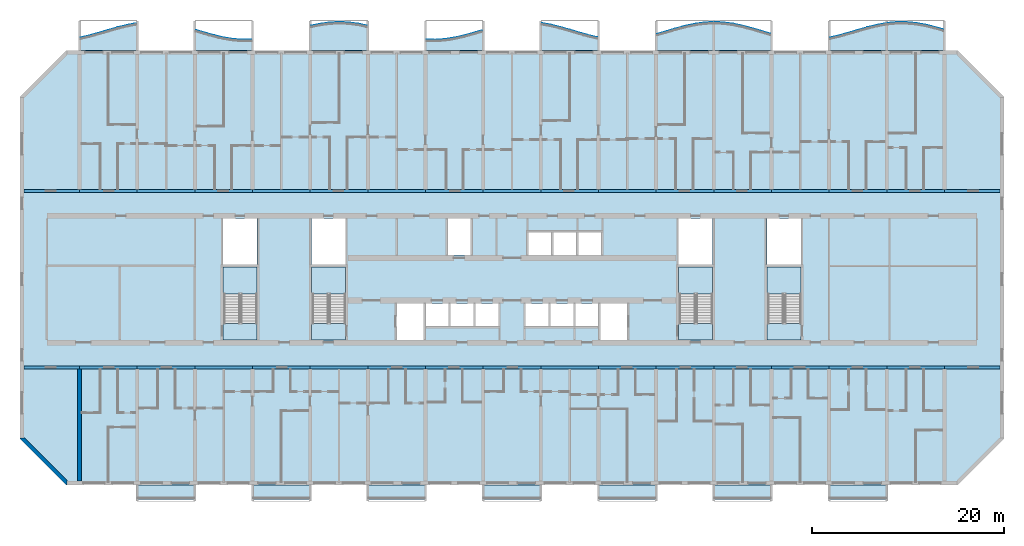
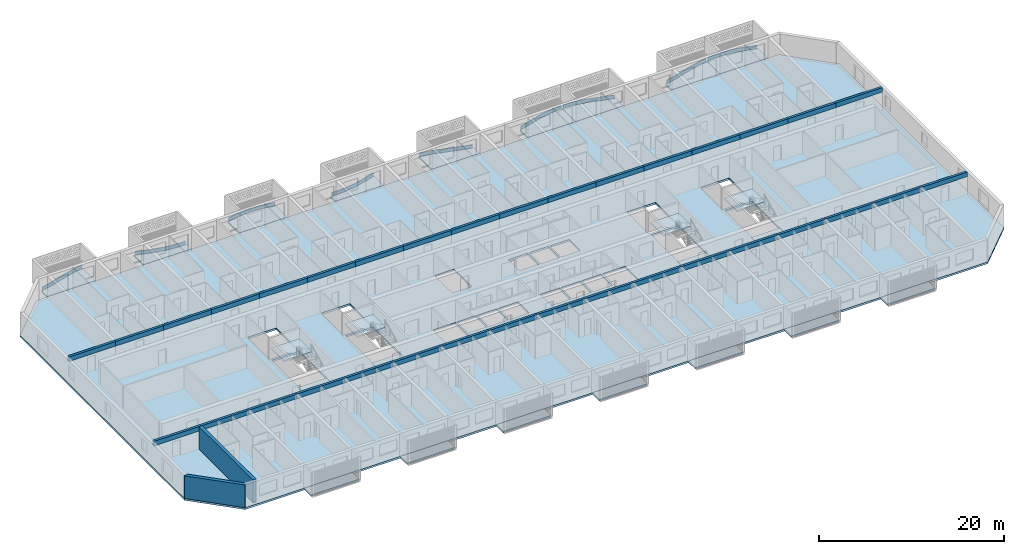
# One storey, part 1 of 38: 34 beams, 25 slabs, 9 plates, 2 walls, 4 elements without a shape of their own.
"""IFC4 building model written with IfcOpenShell, lengths in metres."""

from ifc_helpers import new_model, si_unit, direction, frame, frame_2d, origin, origin_2d, place, context, subcontext, project, spatial, polyline, rectangle, outline, extrude, source, transform, mapped, material, layer, layer_set, material_profile, profile_set, type_object, element, aggregate, save


model = new_model("IFC4")

# Units and contexts
model_context = context("Model", 3, precision=1e-05, world=origin(), true_north=direction((0.0, 1.0)))
body_context = subcontext(model_context, "Body", "Model", "MODEL_VIEW")
ifc_project = project(units=[si_unit("LENGTHUNIT", "METRE"), si_unit("AREAUNIT", "SQUARE_METRE"), si_unit("VOLUMEUNIT", "CUBIC_METRE"), si_unit("PLANEANGLEUNIT", "RADIAN"), si_unit("MASSUNIT", "GRAM", prefix="KILO")], contexts=[model_context])

# Site, building, storey
site_placement = place(None, origin())
site = spatial("IfcSite", under=ifc_project, at=site_placement, CompositionType="ELEMENT")
building_placement = place(site_placement, origin())
building = spatial("IfcBuilding", under=site, at=building_placement, Name="Poui Terraces", CompositionType="ELEMENT")
storey_placement = place(building_placement, frame((0.0, 0.0, 49.800048828125)))
storey = spatial("IfcBuildingStorey", under=building, at=storey_placement, Name="L13", CompositionType="ELEMENT", Elevation=49.800048828125)

# Beams
ifc_material_1 = material(Name="Concrete 80 MPa", Category="concrete")
ifc_material_profile = material_profile(ifc_material_1, rectangle(XDim=0.300048828125, YDim=0.60009765625, at=origin_2d()), Name="RC 300x600")
ifc_profile_set = profile_set([ifc_material_profile], Name="Concrete 80 MPa")
beam_type = type_object("IfcBeamType", Name="COUPLING BEAM 300x600 80MPa", PredefinedType="BEAM", material=ifc_profile_set)
shared_shape_1 = source(origin(), body_context, "Body", "SweptSolid", [
    extrude(rectangle(XDim=0.300048828125, YDim=0.60009765625, at=origin_2d()), origin(), (0.0, 0.0, 1.0), 6.0),
])
for number, where, z_axis, x_axis, name in (
    (1, (6.0, 12.0, 2.699951171875), (1.0, 0.0, 0.0), (0.0, 1.0, 0.0), "COUPLING BEAM LINE B BAY 2"),
    (2, (12.0, 12.0, 2.699951171875), (1.0, 0.0, 0.0), (0.0, 1.0, 0.0), "COUPLING BEAM LINE B BAY 3"),
    (3, (18.0, 12.0, 2.699951171875), (1.0, 0.0, 0.0), (0.0, 1.0, 0.0), "COUPLING BEAM LINE B BAY 4"),
    (4, (24.0, 12.0, 2.699951171875), (1.0, 0.0, 0.0), (0.0, 1.0, 0.0), "COUPLING BEAM LINE B BAY 5"),
    (5, (30.0, 12.0, 2.699951171875), (1.0, 0.0, 0.0), (0.0, 1.0, 0.0), "COUPLING BEAM LINE B BAY 6"),
    (6, (36.0, 12.0, 2.699951171875), (1.0, 0.0, 0.0), (0.0, 1.0, 0.0), "COUPLING BEAM LINE B BAY 7"),
    (7, (42.0, 12.0, 2.699951171875), (1.0, 0.0, 0.0), (0.0, 1.0, 0.0), "COUPLING BEAM LINE B BAY 8"),
    (8, (48.0, 12.0, 2.699951171875), (1.0, 0.0, 0.0), (0.0, 1.0, 0.0), "COUPLING BEAM LINE B BAY 9"),
    (9, (54.0, 12.0, 2.699951171875), (1.0, 0.0, 0.0), (0.0, 1.0, 0.0), "COUPLING BEAM LINE B BAY 10"),
    (10, (60.0, 12.0, 2.699951171875), (1.0, 0.0, 0.0), (0.0, 1.0, 0.0), "COUPLING BEAM LINE B BAY 11"),
    (11, (66.0, 12.0, 2.699951171875), (1.0, 0.0, 0.0), (0.0, 1.0, 0.0), "COUPLING BEAM LINE B BAY 12"),
    (12, (72.0, 12.0, 2.699951171875), (1.0, 0.0, 0.0), (0.0, 1.0, 0.0), "COUPLING BEAM LINE B BAY 13"),
    (13, (78.0, 12.0, 2.699951171875), (1.0, 0.0, 0.0), (0.0, 1.0, 0.0), "COUPLING BEAM LINE B BAY 14"),
    (14, (84.0, 12.0, 2.699951171875), (1.0, 0.0, 0.0), (0.0, 1.0, 0.0), "COUPLING BEAM LINE B BAY 15"),
    (15, (90.0, 12.0, 2.699951171875), (1.0, 0.0, 0.0), (0.0, 1.0, 0.0), "COUPLING BEAM LINE B BAY 16"),
    (16, (6.0, 30.39990234375, 2.699951171875), (1.0, 0.0, 0.0), (0.0, 1.0, 0.0), "COUPLING BEAM LINE E BAY 2"),
    (17, (12.0, 30.39990234375, 2.699951171875), (1.0, 0.0, 0.0), (0.0, 1.0, 0.0), "COUPLING BEAM LINE E BAY 3"),
    (18, (18.0, 30.39990234375, 2.699951171875), (1.0, 0.0, 0.0), (0.0, 1.0, 0.0), "COUPLING BEAM LINE E BAY 4"),
    (19, (24.0, 30.39990234375, 2.699951171875), (1.0, 0.0, 0.0), (0.0, 1.0, 0.0), "COUPLING BEAM LINE E BAY 5"),
    (20, (30.0, 30.39990234375, 2.699951171875), (1.0, 0.0, 0.0), (0.0, 1.0, 0.0), "COUPLING BEAM LINE E BAY 6"),
    (21, (36.0, 30.39990234375, 2.699951171875), (1.0, 0.0, 0.0), (0.0, 1.0, 0.0), "COUPLING BEAM LINE E BAY 7"),
    (22, (42.0, 30.39990234375, 2.699951171875), (1.0, 0.0, 0.0), (0.0, 1.0, 0.0), "COUPLING BEAM LINE E BAY 8"),
    (23, (48.0, 30.39990234375, 2.699951171875), (1.0, 0.0, 0.0), (0.0, 1.0, 0.0), "COUPLING BEAM LINE E BAY 9"),
    (24, (54.0, 30.39990234375, 2.699951171875), (1.0, 0.0, 0.0), (0.0, 1.0, 0.0), "COUPLING BEAM LINE E BAY 10"),
    (25, (60.0, 30.39990234375, 2.699951171875), (1.0, 0.0, 0.0), (0.0, 1.0, 0.0), "COUPLING BEAM LINE E BAY 11"),
    (26, (66.0, 30.39990234375, 2.699951171875), (1.0, 0.0, 0.0), (0.0, 1.0, 0.0), "COUPLING BEAM LINE E BAY 12"),
    (27, (72.0, 30.39990234375, 2.699951171875), (1.0, 0.0, 0.0), (0.0, 1.0, 0.0), "COUPLING BEAM LINE E BAY 13"),
    (28, (78.0, 30.39990234375, 2.699951171875), (1.0, 0.0, 0.0), (0.0, 1.0, 0.0), "COUPLING BEAM LINE E BAY 14"),
    (29, (84.0, 30.39990234375, 2.699951171875), (1.0, 0.0, 0.0), (0.0, 1.0, 0.0), "COUPLING BEAM LINE E BAY 15"),
    (30, (90.0, 30.39990234375, 2.699951171875), (1.0, 0.0, 0.0), (0.0, 1.0, 0.0), "COUPLING BEAM LINE E BAY 16"),
):
    element("IfcBeam", number, at=place(storey_placement, frame(where, z_axis=z_axis, x_axis=x_axis)), inside=storey, type_object=beam_type, Name=name, PredefinedType="BEAM", context=body_context, shape_type="MappedRepresentation", body=[
        mapped(shared_shape_1, transform((0.0, 0.0, 0.0))),
    ])
shared_shape_2 = source(origin(), body_context, "Body", "SweptSolid", [
    extrude(rectangle(XDim=0.300048828125, YDim=0.60009765625, at=origin_2d()), origin(), (0.0, 0.0, 1.0), 5.800048828125),
])
for number, where, z_axis, x_axis, name in (
    (31, (0.199951171875, 12.0, 2.699951171875), (1.0, 0.0, 0.0), (0.0, 1.0, 0.0), "COUPLING BEAM LINE B BAY 1"),
    (32, (96.0, 12.0, 2.699951171875), (1.0, 0.0, 0.0), (0.0, 1.0, 0.0), "COUPLING BEAM LINE B BAY 17"),
    (33, (0.199951171875, 30.39990234375, 2.699951171875), (1.0, 0.0, 0.0), (0.0, 1.0, 0.0), "COUPLING BEAM LINE E BAY 1"),
    (34, (96.0, 30.39990234375, 2.699951171875), (1.0, 0.0, 0.0), (0.0, 1.0, 0.0), "COUPLING BEAM LINE E BAY 17"),
):
    element("IfcBeam", number, at=place(storey_placement, frame(where, z_axis=z_axis, x_axis=x_axis)), inside=storey, type_object=beam_type, Name=name, PredefinedType="BEAM", context=body_context, shape_type="MappedRepresentation", body=[
        mapped(shared_shape_2, transform((0.0, 0.0, 0.0))),
    ])

# Slabs
ifc_material_2 = material(Name="Precast concrete 40 MPa", Category="concrete")
ifc_layer_1 = layer(ifc_material_2, 0.199951171875)
ifc_layer_set_1 = layer_set([ifc_layer_1], Name="Precast concrete 40 MPa")
slab_type_1 = type_object("IfcSlabType", Name="BALCONY SLAB 200", PredefinedType="FLOOR", material=ifc_layer_set_1)
slab_1_placement = place(storey_placement, frame((0.0, 0.0, -0.2001953125)))
element("IfcSlab", 35, at=slab_1_placement, inside=storey, type_object=slab_type_1, Name="BALCONY SLAB", PredefinedType="FLOOR", context=body_context, shape_type="SweptSolid", body=[
    extrude(outline(polyline([(6.0, 45.0), (12.0, 45.0), (12.0, 47.838134765625), (11.0, 47.65673828125), (10.0, 47.410400390625), (9.0, 47.124267578125), (8.0, 46.827880859375), (7.0, 46.5517578125), (6.0, 46.324462890625), (6.0, 45.0)])), origin(), (0.0, 0.0, 1.0), 0.2001953125),
])
slab_2_placement = place(storey_placement, frame((0.0, 0.0, -0.2001953125)))
element("IfcSlab", 36, at=slab_2_placement, inside=storey, type_object=slab_type_1, Name="BALCONY SLAB", PredefinedType="FLOOR", context=body_context, shape_type="SweptSolid", body=[
    extrude(outline(polyline([(18.0, 45.0), (24.0, 45.0), (24.0, 46.1240234375), (23.0, 46.10400390625), (22.0, 46.178955078125), (21.0, 46.3408203125), (20.0, 46.5732421875), (19.0, 46.852294921875), (18.0, 47.148681640625), (18.0, 45.0)])), origin(), (0.0, 0.0, 1.0), 0.2001953125),
])
slab_3_placement = place(storey_placement, frame((0.0, 0.0, -0.2001953125)))
element("IfcSlab", 37, at=slab_3_placement, inside=storey, type_object=slab_type_1, Name="BALCONY SLAB", PredefinedType="FLOOR", context=body_context, shape_type="SweptSolid", body=[
    extrude(outline(polyline([(30.0, 45.0), (36.0, 45.0), (36.0, 47.560546875), (35.0, 47.77197265625), (34.0, 47.90625), (33.0, 47.949951171875), (32.0, 47.8984375), (31.0, 47.757080078125), (30.0, 47.540283203125), (30.0, 45.0)])), origin(), (0.0, 0.0, 1.0), 0.2001953125),
])
slab_4_placement = place(storey_placement, frame((0.0, 0.0, -0.2001953125)))
element("IfcSlab", 38, at=slab_4_placement, inside=storey, type_object=slab_type_1, Name="BALCONY SLAB", PredefinedType="FLOOR", context=body_context, shape_type="SweptSolid", body=[
    extrude(outline(polyline([(42.0, 45.0), (48.0, 45.0), (48.0, 47.124267578125), (47.0, 46.827880859375), (46.0, 46.5517578125), (45.0, 46.324462890625), (44.0, 46.169189453125), (43.0, 46.10205078125), (42.0, 46.1298828125), (42.0, 45.0)])), origin(), (0.0, 0.0, 1.0), 0.2001953125),
])
slab_5_placement = place(storey_placement, frame((0.0, 0.0, -0.2001953125)))
element("IfcSlab", 39, at=slab_5_placement, inside=storey, type_object=slab_type_1, Name="BALCONY SLAB", PredefinedType="FLOOR", context=body_context, shape_type="SweptSolid", body=[
    extrude(outline(polyline([(54.0, 45.0), (60.0, 45.0), (60.0, 46.3408203125), (59.0, 46.5732421875), (58.0, 46.852294921875), (57.0, 47.148681640625), (56.0, 47.4326171875), (55.0, 47.6748046875), (54.0, 47.849609375), (54.0, 45.0)])), origin(), (0.0, 0.0, 1.0), 0.2001953125),
])
slab_6_placement = place(storey_placement, frame((0.0, 0.0, -0.2001953125)))
element("IfcSlab", 40, at=slab_6_placement, inside=storey, type_object=slab_type_1, Name="BALCONY SLAB", PredefinedType="FLOOR", context=body_context, shape_type="SweptSolid", body=[
    extrude(outline(polyline([(66.0, 45.0), (72.0, 45.0), (72.0, 47.949951171875), (71.0, 47.8984375), (70.0, 47.757080078125), (69.0, 47.540283203125), (68.0, 47.2705078125), (67.0, 46.975341796875), (66.0, 46.685302734375), (66.0, 45.0)])), origin(), (0.0, 0.0, 1.0), 0.2001953125),
])
slab_7_placement = place(storey_placement, frame((0.0, 0.0, -0.2001953125)))
element("IfcSlab", 41, at=slab_7_placement, inside=storey, type_object=slab_type_1, Name="BALCONY SLAB", PredefinedType="FLOOR", context=body_context, shape_type="SweptSolid", body=[
    extrude(outline(polyline([(72.0, 45.0), (78.0, 45.0), (78.0, 46.70849609375), (77.0, 47.000244140625), (76.0, 47.294189453125), (75.0, 47.560546875), (74.0, 47.77197265625), (73.0, 47.90625), (72.0, 47.949951171875), (72.0, 45.0)])), origin(), (0.0, 0.0, 1.0), 0.2001953125),
])
slab_8_placement = place(storey_placement, frame((0.0, 0.0, -0.2001953125)))
element("IfcSlab", 42, at=slab_8_placement, inside=storey, type_object=slab_type_1, Name="BALCONY SLAB", PredefinedType="FLOOR", context=body_context, shape_type="SweptSolid", body=[
    extrude(outline(polyline([(84.0, 45.0), (90.0, 45.0), (90.0, 47.838134765625), (89.0, 47.65673828125), (88.0, 47.410400390625), (87.0, 47.124267578125), (86.0, 46.827880859375), (85.0, 46.5517578125), (84.0, 46.324462890625), (84.0, 45.0)])), origin(), (0.0, 0.0, 1.0), 0.2001953125),
])
slab_9_placement = place(storey_placement, frame((0.0, 0.0, -0.2001953125)))
element("IfcSlab", 43, at=slab_9_placement, inside=storey, type_object=slab_type_1, Name="BALCONY SLAB", PredefinedType="FLOOR", context=body_context, shape_type="SweptSolid", body=[
    extrude(outline(polyline([(90.0, 45.0), (96.0, 45.0), (96.0, 47.148681640625), (95.0, 47.4326171875), (94.0, 47.6748046875), (93.0, 47.849609375), (92.0, 47.93994140625), (91.0, 47.935791015625), (90.0, 47.838134765625), (90.0, 45.0)])), origin(), (0.0, 0.0, 1.0), 0.2001953125),
])

# Stair, slabs
stair_type = type_object("IfcStairType", Name="EXIT STAIR 1650 80 MPA", PredefinedType="HALF_TURN_STAIR", material=ifc_material_1)
stair_1_placement = place(storey_placement, origin())
stair_1 = element("IfcStair", 44, at=stair_1_placement, inside=storey, type_object=stair_type, Name="L13 CORE STAIR EAST", PredefinedType="HALF_TURN_STAIR")
ifc_layer_2 = layer(ifc_material_1, 0.199951171875)
ifc_layer_set_2 = layer_set([ifc_layer_2], Name="Concrete 80 MPa")
slab_type_2 = type_object("IfcSlabType", Name="STAIR LANDING 200 80 MPA", PredefinedType="LANDING", material=ifc_layer_set_2)
slab_10_placement = place(storey_placement, frame((0.0, 0.0, 1.449951171875)))
slab_10 = element("IfcSlab", 45, at=slab_10_placement, type_object=slab_type_2, Name="ST-CE landing 1", PredefinedType="LANDING", context=body_context, shape_type="SweptSolid", body=[
    extrude(outline(polyline([(68.324951171875, 19.679931640625), (71.875, 19.679931640625), (71.875, 22.47509765625), (68.324951171875, 22.47509765625), (68.324951171875, 19.679931640625)])), origin(), (0.0, 0.0, 1.0), 0.199951171875),
])
slab_11_placement = place(storey_placement, frame((0.0, 0.0, -0.2001953125)))
slab_11 = element("IfcSlab", 46, at=slab_11_placement, type_object=slab_type_2, Name="ST-CE landing 2", PredefinedType="LANDING", context=body_context, shape_type="SweptSolid", body=[
    extrude(outline(polyline([(68.324951171875, 14.89990234375), (71.875, 14.89990234375), (71.875, 16.60009765625), (68.324951171875, 16.60009765625), (68.324951171875, 14.89990234375)])), origin(), (0.0, 0.0, 1.0), 0.2001953125),
])
aggregate(stair_1, [slab_10, slab_11])

stair_2_placement = place(storey_placement, origin())
stair_2 = element("IfcStair", 47, at=stair_2_placement, inside=storey, type_object=stair_type, Name="L13 CORE STAIR WEST", PredefinedType="HALF_TURN_STAIR")
slab_12_placement = place(storey_placement, frame((0.0, 0.0, 1.449951171875)))
slab_12 = element("IfcSlab", 48, at=slab_12_placement, type_object=slab_type_2, Name="ST-CW landing 1", PredefinedType="LANDING", context=body_context, shape_type="SweptSolid", body=[
    extrude(outline(polyline([(30.125, 19.679931640625), (33.675048828125, 19.679931640625), (33.675048828125, 22.47509765625), (30.125, 22.47509765625), (30.125, 19.679931640625)])), origin(), (0.0, 0.0, 1.0), 0.199951171875),
])
slab_13_placement = place(storey_placement, frame((0.0, 0.0, -0.2001953125)))
slab_13 = element("IfcSlab", 49, at=slab_13_placement, type_object=slab_type_2, Name="ST-CW landing 2", PredefinedType="LANDING", context=body_context, shape_type="SweptSolid", body=[
    extrude(outline(polyline([(30.125, 14.89990234375), (33.675048828125, 14.89990234375), (33.675048828125, 16.60009765625), (30.125, 16.60009765625), (30.125, 14.89990234375)])), origin(), (0.0, 0.0, 1.0), 0.2001953125),
])
aggregate(stair_2, [slab_12, slab_13])

stair_3_placement = place(storey_placement, origin())
stair_3 = element("IfcStair", 50, at=stair_3_placement, inside=storey, type_object=stair_type, Name="L13 TIP STAIR EAST", PredefinedType="HALF_TURN_STAIR")
slab_14_placement = place(storey_placement, frame((0.0, 0.0, 1.449951171875)))
slab_14 = element("IfcSlab", 51, at=slab_14_placement, type_object=slab_type_2, Name="ST-E landing 1", PredefinedType="LANDING", context=body_context, shape_type="SweptSolid", body=[
    extrude(outline(polyline([(77.52490234375, 19.679931640625), (81.074951171875, 19.679931640625), (81.074951171875, 22.47509765625), (77.52490234375, 22.47509765625), (77.52490234375, 19.679931640625)])), origin(), (0.0, 0.0, 1.0), 0.199951171875),
])
slab_15_placement = place(storey_placement, frame((0.0, 0.0, -0.2001953125)))
slab_15 = element("IfcSlab", 52, at=slab_15_placement, type_object=slab_type_2, Name="ST-E landing 2", PredefinedType="LANDING", context=body_context, shape_type="SweptSolid", body=[
    extrude(outline(polyline([(77.52490234375, 14.89990234375), (81.074951171875, 14.89990234375), (81.074951171875, 16.60009765625), (77.52490234375, 16.60009765625), (77.52490234375, 14.89990234375)])), origin(), (0.0, 0.0, 1.0), 0.2001953125),
])
aggregate(stair_3, [slab_14, slab_15])

stair_4_placement = place(storey_placement, origin())
stair_4 = element("IfcStair", 53, at=stair_4_placement, inside=storey, type_object=stair_type, Name="L13 TIP STAIR WEST", PredefinedType="HALF_TURN_STAIR")
slab_16_placement = place(storey_placement, frame((0.0, 0.0, 1.449951171875)))
slab_16 = element("IfcSlab", 54, at=slab_16_placement, type_object=slab_type_2, Name="ST-W landing 1", PredefinedType="LANDING", context=body_context, shape_type="SweptSolid", body=[
    extrude(outline(polyline([(20.925048828125, 19.679931640625), (24.47509765625, 19.679931640625), (24.47509765625, 22.47509765625), (20.925048828125, 22.47509765625), (20.925048828125, 19.679931640625)])), origin(), (0.0, 0.0, 1.0), 0.199951171875),
])
slab_17_placement = place(storey_placement, frame((0.0, 0.0, -0.2001953125)))
slab_17 = element("IfcSlab", 55, at=slab_17_placement, type_object=slab_type_2, Name="ST-W landing 2", PredefinedType="LANDING", context=body_context, shape_type="SweptSolid", body=[
    extrude(outline(polyline([(20.925048828125, 14.89990234375), (24.47509765625, 14.89990234375), (24.47509765625, 16.60009765625), (20.925048828125, 16.60009765625), (20.925048828125, 14.89990234375)])), origin(), (0.0, 0.0, 1.0), 0.2001953125),
])
aggregate(stair_4, [slab_16, slab_17])

# Plates
ifc_layer_3 = layer(ifc_material_2, 0.080078125)
ifc_layer_set_3 = layer_set([ifc_layer_3], Name="Precast concrete 40 MPa")
plate_type = type_object("IfcPlateType", Name="SUNSHADE UPSTAND 80", PredefinedType="SHEET", material=ifc_layer_set_3)
plate_1_placement = place(storey_placement, origin())
element("IfcPlate", 56, at=plate_1_placement, inside=storey, type_object=plate_type, Name="SUNSHADE UPSTAND", PredefinedType="SHEET", context=body_context, shape_type="SweptSolid", body=[
    extrude(outline(polyline([(6.990234375, 46.545654296875), (6.115966796875, 46.34326171875), (6.134033203125, 46.265380859375), (7.009765625, 46.468017578125), (8.010986328125, 46.744384765625), (9.01123046875, 47.040771484375), (10.01025390625, 47.32666015625), (11.008544921875, 47.572509765625), (11.88232421875, 47.735595703125), (11.86767578125, 47.814208984375), (10.991455078125, 47.65087890625), (9.98974609375, 47.40380859375), (8.98876953125, 47.11767578125), (7.989013671875, 46.8212890625), (6.990234375, 46.545654296875)])), origin(), (0.0, 0.0, 1.0), 0.449951171875),
])
plate_2_placement = place(storey_placement, origin())
element("IfcPlate", 57, at=plate_2_placement, inside=storey, type_object=plate_type, Name="SUNSHADE UPSTAND", PredefinedType="SHEET", context=body_context, shape_type="SweptSolid", body=[
    extrude(outline(polyline([(19.010986328125, 46.845703125), (18.136474609375, 47.105224609375), (18.113525390625, 47.028564453125), (18.989013671875, 46.768798828125), (19.989990234375, 46.489501953125), (20.9921875, 46.256591796875), (21.995361328125, 46.09423828125), (22.998779296875, 46.01904296875), (23.87548828125, 46.03125), (23.87451171875, 46.111328125), (23.001220703125, 46.09912109375), (22.004638671875, 46.173583984375), (21.0078125, 46.335205078125), (20.010009765625, 46.567138671875), (19.010986328125, 46.845703125)])), origin(), (0.0, 0.0, 1.0), 0.449951171875),
])
plate_3_placement = place(storey_placement, origin())
element("IfcPlate", 58, at=plate_3_placement, inside=storey, type_object=plate_type, Name="SUNSHADE UPSTAND", PredefinedType="SHEET", context=body_context, shape_type="SweptSolid", body=[
    extrude(outline(polyline([(30.992919921875, 47.75146484375), (30.11669921875, 47.564697265625), (30.13330078125, 47.486572265625), (31.007080078125, 47.672607421875), (32.00390625, 47.8134765625), (33.000244140625, 47.864990234375), (33.99658203125, 47.8212890625), (34.993408203125, 47.6875), (35.866943359375, 47.50634765625), (35.883056640625, 47.584716796875), (35.006591796875, 47.766357421875), (34.00341796875, 47.901123046875), (32.999755859375, 47.945068359375), (31.99609375, 47.893310546875), (30.992919921875, 47.75146484375)])), origin(), (0.0, 0.0, 1.0), 0.449951171875),
])
plate_4_placement = place(storey_placement, origin())
element("IfcPlate", 59, at=plate_4_placement, inside=storey, type_object=plate_type, Name="SUNSHADE UPSTAND", PredefinedType="SHEET", context=body_context, shape_type="SweptSolid", body=[
    extrude(outline(polyline([(42.9990234375, 46.09716796875), (42.1259765625, 46.1162109375), (42.1240234375, 46.036376953125), (43.0009765625, 46.01708984375), (44.00439453125, 46.08447265625), (45.007568359375, 46.239990234375), (46.009765625, 46.468017578125), (47.010986328125, 46.744384765625), (47.886474609375, 47.003662109375), (47.863525390625, 47.080322265625), (46.989013671875, 46.8212890625), (45.990234375, 46.545654296875), (44.992431640625, 46.31884765625), (43.99560546875, 46.1640625), (42.9990234375, 46.09716796875)])), origin(), (0.0, 0.0, 1.0), 0.449951171875),
])
plate_5_placement = place(storey_placement, origin())
element("IfcPlate", 60, at=plate_5_placement, inside=storey, type_object=plate_type, Name="SUNSHADE UPSTAND", PredefinedType="SHEET", context=body_context, shape_type="SweptSolid", body=[
    extrude(outline(polyline([(55.00830078125, 47.668701171875), (54.132080078125, 47.82666015625), (54.117919921875, 47.747802734375), (54.99169921875, 47.590576171875), (55.98974609375, 47.34912109375), (56.98876953125, 47.0654296875), (57.989013671875, 46.768798828125), (58.989990234375, 46.489501953125), (59.86572265625, 46.28271484375), (59.88427734375, 46.360595703125), (59.010009765625, 46.56689453125), (58.010986328125, 46.845703125), (57.01123046875, 47.14208984375), (56.01025390625, 47.426513671875), (55.00830078125, 47.668701171875)])), origin(), (0.0, 0.0, 1.0), 0.449951171875),
])
plate_6_placement = place(storey_placement, origin())
element("IfcPlate", 61, at=plate_6_placement, inside=storey, type_object=plate_type, Name="SUNSHADE UPSTAND", PredefinedType="SHEET", context=body_context, shape_type="SweptSolid", body=[
    extrude(outline(polyline([(66.98876953125, 46.96875), (66.11376953125, 46.713623046875), (66.13623046875, 46.636962890625), (67.01123046875, 46.89208984375), (68.010986328125, 47.18701171875), (69.009521484375, 47.456298828125), (70.007080078125, 47.672607421875), (71.00390625, 47.8134765625), (71.877197265625, 47.86376953125), (71.872802734375, 47.943359375), (71.83154296875, 47.941162109375), (70.99609375, 47.893310546875), (69.992919921875, 47.75146484375), (68.990478515625, 47.5341796875), (67.989013671875, 47.263916015625), (66.98876953125, 46.96875)])), origin(), (0.0, 0.0, 1.0), 0.449951171875),
])
plate_7_placement = place(storey_placement, origin())
element("IfcPlate", 62, at=plate_7_placement, inside=storey, type_object=plate_type, Name="SUNSHADE UPSTAND", PredefinedType="SHEET", context=body_context, shape_type="SweptSolid", body=[
    extrude(outline(polyline([(73.003662109375, 47.901123046875), (72.168212890625, 47.942626953125), (72.126953125, 47.9443359375), (72.123046875, 47.86474609375), (72.996337890625, 47.8212890625), (73.9931640625, 47.6875), (74.99072265625, 47.476806640625), (75.9892578125, 47.210693359375), (76.98876953125, 46.916748046875), (77.86376953125, 46.660400390625), (77.88623046875, 46.7373046875), (77.01123046875, 46.993408203125), (76.0107421875, 47.287841796875), (75.00927734375, 47.5546875), (74.0068359375, 47.766357421875), (73.003662109375, 47.901123046875)])), origin(), (0.0, 0.0, 1.0), 0.449951171875),
])
plate_8_placement = place(storey_placement, origin())
element("IfcPlate", 63, at=plate_8_placement, inside=storey, type_object=plate_type, Name="SUNSHADE UPSTAND", PredefinedType="SHEET", context=body_context, shape_type="SweptSolid", body=[
    extrude(outline(polyline([(84.990234375, 46.545654296875), (84.115966796875, 46.34326171875), (84.134033203125, 46.265380859375), (85.009765625, 46.468017578125), (86.010986328125, 46.744384765625), (87.01123046875, 47.040771484375), (88.01025390625, 47.32666015625), (89.008544921875, 47.572509765625), (89.88232421875, 47.735595703125), (89.86767578125, 47.814208984375), (88.991455078125, 47.65087890625), (87.98974609375, 47.40380859375), (86.98876953125, 47.11767578125), (85.989013671875, 46.8212890625), (84.990234375, 46.545654296875)])), origin(), (0.0, 0.0, 1.0), 0.449951171875),
])
plate_9_placement = place(storey_placement, origin())
element("IfcPlate", 64, at=plate_9_placement, inside=storey, type_object=plate_type, Name="SUNSHADE UPSTAND", PredefinedType="SHEET", context=body_context, shape_type="SweptSolid", body=[
    extrude(outline(polyline([(90.998046875, 47.930908203125), (90.132568359375, 47.851318359375), (90.121337890625, 47.85009765625), (90.128662109375, 47.7705078125), (91.001953125, 47.85107421875), (91.998291015625, 47.85498046875), (92.99462890625, 47.76513671875), (93.99169921875, 47.590576171875), (94.989990234375, 47.34912109375), (95.864013671875, 47.10205078125), (95.885986328125, 47.17919921875), (95.010009765625, 47.426513671875), (94.00830078125, 47.668701171875), (93.00537109375, 47.844482421875), (92.001708984375, 47.934814453125), (90.998046875, 47.930908203125)])), origin(), (0.0, 0.0, 1.0), 0.449951171875),
])

# Slabs
ifc_material_3 = material(Name="Concrete 40 MPa", Category="concrete")
ifc_layer_4 = layer(ifc_material_3, 0.25)
ifc_layer_set_4 = layer_set([ifc_layer_4], Name="Concrete 40 MPa")
slab_type_3 = type_object("IfcSlabType", Name="FLOOR SLAB 250", PredefinedType="FLOOR", material=ifc_layer_set_4)
shared_shape_3 = source(origin(), body_context, "Body", "SweptSolid", [
    extrude(outline(polyline([(0.0, 0.0), (4.800048828125, -4.800048828125), (97.599853515625, -4.800048828125), (102.39990234375, 0.0), (102.39990234375, 35.599853515625), (97.599853515625, 40.39990234375), (4.800048828125, 40.39990234375), (0.0, 35.599853515625), (0.0, 0.0)]), holes=[polyline([(39.199951171875, 10.2998046875), (39.199951171875, 14.099853515625), (42.0, 14.099853515625), (42.0, 10.2998046875), (39.199951171875, 10.2998046875)]), polyline([(42.199951171875, 11.699951171875), (42.199951171875, 14.099853515625), (44.599853515625, 14.099853515625), (44.599853515625, 11.699951171875), (42.199951171875, 11.699951171875)]), polyline([(44.800048828125, 11.699951171875), (44.800048828125, 14.099853515625), (47.199951171875, 14.099853515625), (47.199951171875, 11.699951171875), (44.800048828125, 11.699951171875)]), polyline([(47.39990234375, 14.099853515625), (49.800048828125, 14.099853515625), (49.800048828125, 11.699951171875), (47.39990234375, 11.699951171875), (47.39990234375, 14.099853515625)]), polyline([(52.599853515625, 14.099853515625), (55.0, 14.099853515625), (55.0, 11.699951171875), (52.599853515625, 11.699951171875), (52.599853515625, 14.099853515625)]), polyline([(21.224853515625, 17.849853515625), (24.675048828125, 17.849853515625), (24.675048828125, 12.0), (24.675048828125, 10.2998046875), (21.125, 10.2998046875), (21.125, 12.0), (21.224853515625, 12.0), (21.224853515625, 17.849853515625)]), polyline([(30.425048828125, 17.849853515625), (33.875, 17.849853515625), (33.875, 12.0), (33.875, 10.2998046875), (30.324951171875, 10.2998046875), (30.324951171875, 12.0), (30.425048828125, 12.0), (30.425048828125, 17.849853515625)]), polyline([(21.125, 18.125), (21.125, 22.89990234375), (24.675048828125, 22.89990234375), (24.675048828125, 18.125), (21.125, 18.125)]), polyline([(30.324951171875, 22.89990234375), (33.875, 22.89990234375), (33.875, 18.125), (30.324951171875, 18.125), (30.324951171875, 22.89990234375)]), polyline([(44.5, 22.89990234375), (46.89990234375, 22.89990234375), (46.89990234375, 19.099853515625), (44.5, 19.099853515625), (44.5, 22.89990234375)]), polyline([(60.39990234375, 10.2998046875), (60.39990234375, 14.099853515625), (63.199951171875, 14.099853515625), (63.199951171875, 10.2998046875), (60.39990234375, 10.2998046875)]), polyline([(55.199951171875, 11.699951171875), (55.199951171875, 14.099853515625), (57.599853515625, 14.099853515625), (57.599853515625, 11.699951171875), (55.199951171875, 11.699951171875)]), polyline([(57.800048828125, 11.699951171875), (57.800048828125, 14.099853515625), (60.199951171875, 14.099853515625), (60.199951171875, 11.699951171875), (57.800048828125, 11.699951171875)]), polyline([(72.074951171875, 17.849853515625), (72.074951171875, 12.0), (72.074951171875, 10.2998046875), (68.52490234375, 10.2998046875), (68.52490234375, 12.0), (68.625, 12.0), (68.625, 17.849853515625), (72.074951171875, 17.849853515625)]), polyline([(81.27490234375, 17.849853515625), (81.27490234375, 12.0), (81.27490234375, 10.2998046875), (77.724853515625, 10.2998046875), (77.724853515625, 12.0), (77.824951171875, 12.0), (77.824951171875, 17.849853515625), (81.27490234375, 17.849853515625)]), polyline([(52.89990234375, 19.099853515625), (52.89990234375, 21.5), (55.300048828125, 21.5), (55.300048828125, 19.099853515625), (52.89990234375, 19.099853515625)]), polyline([(55.5, 19.099853515625), (55.5, 21.5), (57.89990234375, 21.5), (57.89990234375, 19.099853515625), (55.5, 19.099853515625)]), polyline([(58.099853515625, 19.099853515625), (58.099853515625, 21.5), (60.5, 21.5), (60.5, 19.099853515625), (58.099853515625, 19.099853515625)]), polyline([(68.52490234375, 22.89990234375), (72.074951171875, 22.89990234375), (72.074951171875, 18.125), (68.52490234375, 18.125), (68.52490234375, 22.89990234375)]), polyline([(77.724853515625, 22.89990234375), (81.27490234375, 22.89990234375), (81.27490234375, 18.125), (77.724853515625, 18.125), (77.724853515625, 22.89990234375)])]), origin(), (0.0, 0.0, 1.0), 0.250244140625),
])
slab_18_placement = place(storey_placement, frame((-0.199951171875, 4.60009765625, -0.250244140625)))
element("IfcSlab", 65, at=slab_18_placement, inside=storey, type_object=slab_type_3, Name="FLOOR SLAB", PredefinedType="FLOOR", context=body_context, shape_type="MappedRepresentation", body=[
    mapped(shared_shape_3, transform((0.0, 0.0, 0.0))),
])
ifc_layer_5 = layer(ifc_material_2, 0.199951171875)
ifc_layer_set_5 = layer_set([ifc_layer_5], Name="Precast concrete 40 MPa")
slab_type_4 = type_object("IfcSlabType", Name="REAR BALCONY SLAB 200", PredefinedType="FLOOR", material=ifc_layer_set_5)
shared_shape_4 = source(origin(), body_context, "Body", "SweptSolid", [
    extrude(outline(polyline([(0.0, 0.0), (6.0, 0.0), (6.0, 1.5), (0.0, 1.5), (0.0, 0.0)])), origin(), (0.0, 0.0, 1.0), 0.2001953125),
])
for number, where, name in (
    (66, (12.0, -1.699951171875, -0.2001953125), "REAR BALCONY SLAB"),
    (67, (24.0, -1.699951171875, -0.2001953125), "REAR BALCONY SLAB"),
    (68, (36.0, -1.699951171875, -0.2001953125), "REAR BALCONY SLAB"),
    (69, (48.0, -1.699951171875, -0.2001953125), "REAR BALCONY SLAB"),
    (70, (60.0, -1.699951171875, -0.2001953125), "REAR BALCONY SLAB"),
    (71, (72.0, -1.699951171875, -0.2001953125), "REAR BALCONY SLAB"),
    (72, (84.0, -1.699951171875, -0.2001953125), "REAR BALCONY SLAB"),
):
    element("IfcSlab", number, at=place(storey_placement, frame(where)), inside=storey, type_object=slab_type_4, Name=name, PredefinedType="FLOOR", context=body_context, shape_type="MappedRepresentation", body=[
        mapped(shared_shape_4, transform((0.0, 0.0, 0.0))),
    ])

# Walls
ifc_layer_6 = layer(ifc_material_1, 0.39990234375)
ifc_layer_set_6 = layer_set([ifc_layer_6], Name="Concrete 80 MPa")
wall_type_1 = type_object("IfcWallType", Name="CROSS WALL 400 80MPa", PredefinedType="SHEAR", material=ifc_layer_set_6)
wall_1_placement = place(storey_placement, frame((6.0, 0.199951171875, 0.0), z_axis=(0.0, 0.0, 1.0), x_axis=(0.0, 1.0, 0.0)))
element("IfcWall", 73, at=wall_1_placement, inside=storey, type_object=wall_type_1, Name="CROSS WALL LINE 2 SOUTH", PredefinedType="SHEAR", context=body_context, shape_type="SweptSolid", body=[
    extrude(rectangle(XDim=11.650146484375, YDim=0.39990234375, at=frame_2d((5.8251953125, 0.0))), origin(), (0.0, 0.0, 1.0), 3.0),
])
ifc_layer_7 = layer(ifc_material_2, 0.39990234375)
ifc_layer_set_7 = layer_set([ifc_layer_7], Name="Precast concrete 40 MPa")
wall_type_2 = type_object("IfcWallType", Name="TERRACOTTA CLAD CHAMFER WALL 400", PredefinedType="STANDARD", material=ifc_layer_set_7)
wall_2_placement = place(storey_placement, origin())
element("IfcWall", 74, at=wall_2_placement, inside=storey, type_object=wall_type_2, Name="CHAMFER WALL CH07", PredefinedType="STANDARD", context=body_context, shape_type="SweptSolid", body=[
    extrude(outline(polyline([(-0.199951171875, 4.682861328125), (-0.199951171875, 4.60009765625), (4.60009765625, -0.199951171875), (4.682861328125, -0.199951171875), (4.682861328125, 0.28271484375), (0.28271484375, 4.682861328125), (-0.199951171875, 4.682861328125)])), origin(), (0.0, 0.0, 1.0), 3.0),
])

save(model, "model.ifc")
